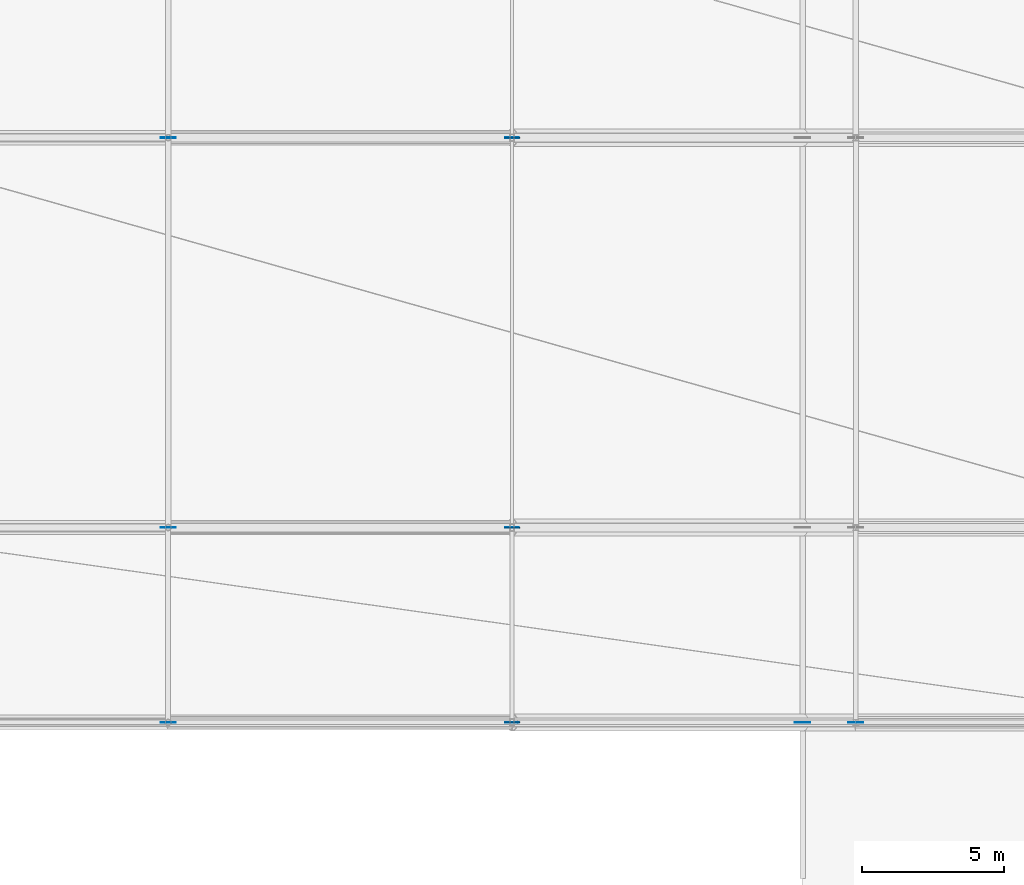
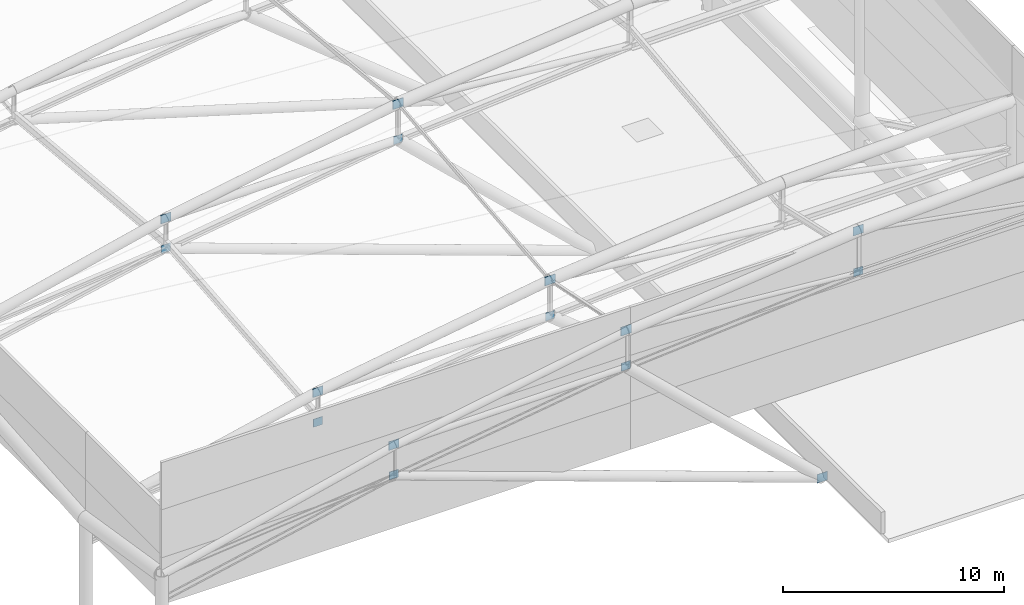
# One storey, part 86 of 113: 15 plates.
"""IFC4 building model written with IfcOpenShell, lengths in metres."""

from ifc_helpers import new_model, si_unit, direction, frame, origin, origin_2d, place, context, subcontext, project, spatial, rectangle, extrude, material, layer, layer_set, type_object, element, save


model = new_model("IFC4")

# Units and contexts
model_context = context("Model", 3, precision=1e-05, world=origin(), true_north=direction((0.0, 1.0)))
body_context = subcontext(model_context, "Body", "Model", "MODEL_VIEW")
ifc_project = project(units=[si_unit("LENGTHUNIT", "METRE"), si_unit("AREAUNIT", "SQUARE_METRE"), si_unit("VOLUMEUNIT", "CUBIC_METRE"), si_unit("PLANEANGLEUNIT", "RADIAN"), si_unit("MASSUNIT", "GRAM", prefix="KILO")], contexts=[model_context])

# Site, building, storey
site_placement = place(None, origin())
site = spatial("IfcSite", under=ifc_project, at=site_placement, CompositionType="ELEMENT")
building_placement = place(site_placement, origin())
building = spatial("IfcBuilding", under=site, at=building_placement, Name="Linyun Crest Stadium", CompositionType="ELEMENT")
storey_placement = place(building_placement, frame((0.0, 0.0, 26.39990234375)))
storey = spatial("IfcBuildingStorey", under=building, at=storey_placement, Name="L06", CompositionType="ELEMENT", Elevation=26.39990234375)

# Plates
ifc_material_1 = material(Name="Steel Q355C", Category="steel")
ifc_layer_1 = layer(ifc_material_1, 0.02392578125)
ifc_layer_set_1 = layer_set([ifc_layer_1], Name="Steel Q355C")
plate_type_1 = type_object("IfcPlateType", Name="NP01", PredefinedType="USERDEFINED", material=ifc_layer_set_1)
plate_1_placement = place(storey_placement, frame((47.625, -46.0, 9.18701171875), z_axis=(0.0, 0.0, 1.0), x_axis=(1.0, 0.0, 0.0)))
element("IfcPlate", 1, at=plate_1_placement, inside=storey, type_object=plate_type_1, Name="Roof truss node gusset plate NP01 109", ObjectType="GUSSET PLATE", PredefinedType="USERDEFINED", context=body_context, shape_type="SweptSolid", body=[
    extrude(rectangle(XDim=0.5400390625, YDim=0.02392578125, at=origin_2d()), origin(), (0.0, 0.0, 1.0), 0.47998046875),
])
for number, where, z_axis, x_axis, name in (
    (2, (71.875, -46.0, 10.26806640625), (0.0, 0.0, 1.0), (1.0, 0.0, 0.0), "Roof bottom-chord node gusset plate NP01 113"),
    (3, (59.75, -46.0, 9.30615234375), (0.0, 0.0, 1.0), (1.0, 0.0, 0.0), "Roof bottom-chord node gusset plate NP01 114"),
    (4, (47.625, -46.0, 7.543212890625), (0.0, 0.0, 1.0), (1.0, 0.0, 0.0), "Roof bottom-chord node gusset plate NP01 115"),
):
    element("IfcPlate", number, at=place(storey_placement, frame(where, z_axis=z_axis, x_axis=x_axis)), inside=storey, type_object=plate_type_1, Name=name, ObjectType="GUSSET PLATE", PredefinedType="USERDEFINED", context=body_context, shape_type="SweptSolid", body=[
        extrude(rectangle(XDim=0.47998046875, YDim=0.02392578125, at=origin_2d()), origin(), (0.0, 0.0, 1.0), 0.43994140625),
    ])
plate_2_placement = place(storey_placement, frame((47.625, -39.125, 7.93408203125), z_axis=(0.0, 0.0, 1.0), x_axis=(1.0, 0.0, 0.0)))
element("IfcPlate", 5, at=plate_2_placement, inside=storey, type_object=plate_type_1, Name="Roof truss node gusset plate NP01 122", ObjectType="GUSSET PLATE", PredefinedType="USERDEFINED", context=body_context, shape_type="SweptSolid", body=[
    extrude(rectangle(XDim=0.5400390625, YDim=0.02392578125, at=origin_2d()), origin(), (0.0, 0.0, 1.0), 0.47998046875),
])
for number, where, z_axis, x_axis, name in (
    (6, (59.75, -39.125, 7.903076171875), (0.0, 0.0, 1.0), (1.0, 0.0, 0.0), "Roof bottom-chord node gusset plate NP01 127"),
    (7, (47.625, -39.125, 6.2900390625), (0.0, 0.0, 1.0), (1.0, 0.0, 0.0), "Roof bottom-chord node gusset plate NP01 128"),
):
    element("IfcPlate", number, at=place(storey_placement, frame(where, z_axis=z_axis, x_axis=x_axis)), inside=storey, type_object=plate_type_1, Name=name, ObjectType="GUSSET PLATE", PredefinedType="USERDEFINED", context=body_context, shape_type="SweptSolid", body=[
        extrude(rectangle(XDim=0.47998046875, YDim=0.02392578125, at=origin_2d()), origin(), (0.0, 0.0, 1.0), 0.43994140625),
    ])
plate_3_placement = place(storey_placement, frame((47.625, -25.375, 9.18701171875), z_axis=(0.0, 0.0, 1.0), x_axis=(1.0, 0.0, 0.0)))
element("IfcPlate", 8, at=plate_3_placement, inside=storey, type_object=plate_type_1, Name="Roof truss node gusset plate NP01 135", ObjectType="GUSSET PLATE", PredefinedType="USERDEFINED", context=body_context, shape_type="SweptSolid", body=[
    extrude(rectangle(XDim=0.5400390625, YDim=0.02392578125, at=origin_2d()), origin(), (0.0, 0.0, 1.0), 0.47998046875),
])
for number, where, z_axis, x_axis, name in (
    (9, (59.75, -25.375, 9.30615234375), (0.0, 0.0, 1.0), (1.0, 0.0, 0.0), "Roof bottom-chord node gusset plate NP01 140"),
    (10, (47.625, -25.375, 7.543212890625), (0.0, 0.0, 1.0), (1.0, 0.0, 0.0), "Roof bottom-chord node gusset plate NP01 141"),
):
    element("IfcPlate", number, at=place(storey_placement, frame(where, z_axis=z_axis, x_axis=x_axis)), inside=storey, type_object=plate_type_1, Name=name, ObjectType="GUSSET PLATE", PredefinedType="USERDEFINED", context=body_context, shape_type="SweptSolid", body=[
        extrude(rectangle(XDim=0.47998046875, YDim=0.02392578125, at=origin_2d()), origin(), (0.0, 0.0, 1.0), 0.43994140625),
    ])
ifc_material_2 = material(Name="Steel Q420C", Category="steel")
ifc_layer_2 = layer(ifc_material_2, 0.028076171875)
ifc_layer_set_2 = layer_set([ifc_layer_2], Name="Steel Q420C")
plate_type_2 = type_object("IfcPlateType", Name="NP02", PredefinedType="USERDEFINED", material=ifc_layer_set_2)
for number, where, z_axis, x_axis, name in (
    (11, (71.875, -46.0, 12.5361328125), (0.0, 0.0, 1.0), (1.0, 0.0, 0.0), "Roof truss node gusset plate NP02 107"),
    (12, (70.0, -46.0, -0.454833984375), (0.0, 0.0, 1.0), (1.0, 0.0, 0.0), "Roof V-strut base gusset plate NP02 117"),
):
    element("IfcPlate", number, at=place(storey_placement, frame(where, z_axis=z_axis, x_axis=x_axis)), inside=storey, type_object=plate_type_2, Name=name, ObjectType="GUSSET PLATE", PredefinedType="USERDEFINED", context=body_context, shape_type="SweptSolid", body=[
        extrude(rectangle(XDim=0.5400390625, YDim=0.028076171875, at=origin_2d()), origin(), (0.0, 0.0, 1.0), 0.47998046875),
    ])
ifc_material_3 = material(Name="Steel Q420C", Category="steel")
ifc_layer_3 = layer(ifc_material_3, 0.035888671875)
ifc_layer_set_3 = layer_set([ifc_layer_3], Name="Steel Q420C")
plate_type_3 = type_object("IfcPlateType", Name="NP04", PredefinedType="USERDEFINED", material=ifc_layer_set_3)
for number, where, z_axis, x_axis, name in (
    (13, (59.75, -46.0, 11.26220703125), (0.0, 0.0, 1.0), (1.0, 0.0, 0.0), "Roof truss node gusset plate NP04 108"),
    (14, (59.75, -39.125, 9.859130859375), (0.0, 0.0, 1.0), (1.0, 0.0, 0.0), "Roof truss node gusset plate NP04 121"),
    (15, (59.75, -25.375, 11.26220703125), (0.0, 0.0, 1.0), (1.0, 0.0, 0.0), "Roof truss node gusset plate NP04 134"),
):
    element("IfcPlate", number, at=place(storey_placement, frame(where, z_axis=z_axis, x_axis=x_axis)), inside=storey, type_object=plate_type_3, Name=name, ObjectType="GUSSET PLATE", PredefinedType="USERDEFINED", context=body_context, shape_type="SweptSolid", body=[
        extrude(rectangle(XDim=0.5400390625, YDim=0.035888671875, at=origin_2d()), origin(), (0.0, 0.0, 1.0), 0.47998046875),
    ])

save(model, "model.ifc")
